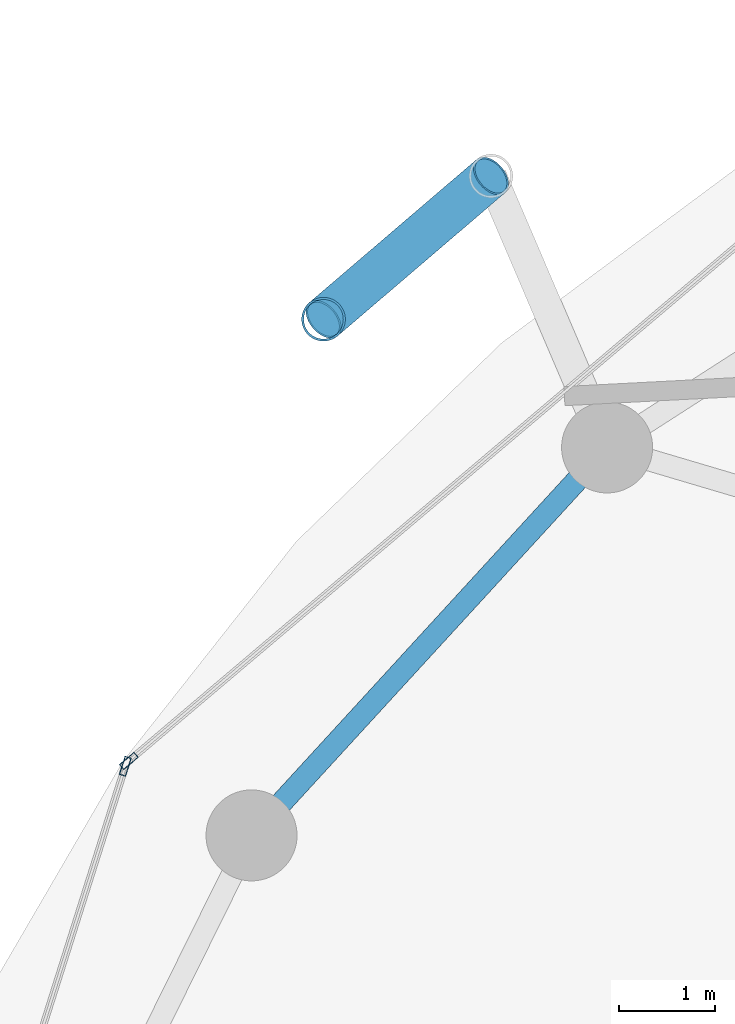
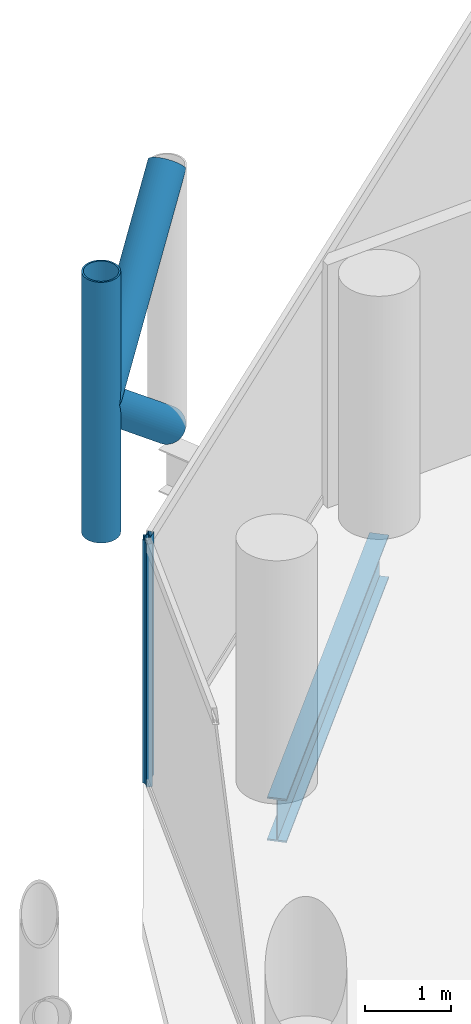
# One storey, part 13 of 26: 5 members, 1 beam, 2 elements without a shape of their own.
"""IFC4 building model written with IfcOpenShell, lengths in metres."""

import ifcopenshell
import ifcopenshell.guid

model = None  # the IFC model being written
_history = None  # IfcOwnerHistory: only IFC2X3 demands one
_inside = {}  # id of a spatial element -> (the spatial element, [elements in it])
_under = {}  # id of a project, library or spatial element -> (it, [spatial elements below it])
_declared = {}  # id of a project -> (the project, [libraries it declares])
_typed = {}  # id of a type object -> (the type object, [elements of that type])
_made_of = {}  # id of a material, layer set ... -> (it, [elements and type objects made of it])


def new_model(schema):
    """Start an empty IFC model of exactly this schema.

    Asked for "IFC4X3", IfcOpenShell would pick the latest addendum, in which some entities
    have other attributes; the version numbers below select the first issue.
    IFC2X3 requires an IfcOwnerHistory on every rooted entity: one is made here for all.
    """
    global model, _history
    if schema == "IFC4X3":
        model = ifcopenshell.file(schema_version=(4, 3, 0, 0))
    else:
        model = ifcopenshell.file(schema=schema)
    _inside.clear()
    _under.clear()
    _declared.clear()
    _typed.clear()
    _made_of.clear()
    _history = None
    if model.schema == "IFC2X3":
        org = make("IfcOrganization", Name="unknown")
        user = make(
            "IfcPersonAndOrganization",
            ThePerson=make("IfcPerson", FamilyName="unknown"),
            TheOrganization=org,
        )
        app = make(
            "IfcApplication",
            ApplicationDeveloper=org,
            Version="unknown",
            ApplicationFullName="unknown",
            ApplicationIdentifier="unknown",
        )
        _history = make(
            "IfcOwnerHistory",
            OwningUser=user,
            OwningApplication=app,
            ChangeAction="ADDED",
            CreationDate=0,
        )
    return model


def make(cls, **values):
    """One entity of the class cls with the attributes given. An attribute that is None is left unset."""
    return model.create_entity(
        cls, **{name: value for name, value in values.items() if value is not None}
    )


def rooted(cls, **values):
    """An entity with a GlobalId (a new one), such as an element, a storey or a relation."""
    return make(cls, GlobalId=ifcopenshell.guid.new(), OwnerHistory=_history, **values)


def si_unit(unit_type, name, prefix=None):
    """IfcSIUnit, for example si_unit("LENGTHUNIT", "METRE", prefix="MILLI")."""
    return make("IfcSIUnit", UnitType=unit_type, Prefix=prefix, Name=name)


def assignment(units):
    """IfcUnitAssignment: the units of a project."""
    return None if units is None else make("IfcUnitAssignment", Units=units)


def point(xyz):
    """IfcCartesianPoint."""
    return None if xyz is None else make("IfcCartesianPoint", Coordinates=xyz)


def direction(xyz):
    """IfcDirection."""
    return None if xyz is None else make("IfcDirection", DirectionRatios=xyz)


def frame(location, z_axis=None, x_axis=None):
    """IfcAxis2Placement3D, a coordinate frame: its origin and axes. An axis left out is left unset."""
    return make(
        "IfcAxis2Placement3D",
        Location=point(location),
        Axis=direction(z_axis),
        RefDirection=direction(x_axis),
    )


def frame_2d(location, x_axis=None):
    """IfcAxis2Placement2D, a coordinate frame in the plane: its origin and x axis."""
    return make(
        "IfcAxis2Placement2D", Location=point(location), RefDirection=direction(x_axis)
    )


def origin():
    """The frame at (0, 0, 0) with its axes left unset."""
    return frame((0.0, 0.0, 0.0))


def origin_2d():
    """The frame at (0, 0) in the plane with its x axis left unset."""
    return frame_2d((0.0, 0.0))


def place(relative_to, where):
    """IfcLocalPlacement: puts the frame where relative to a parent placement (None: the world)."""
    return make(
        "IfcLocalPlacement", PlacementRelTo=relative_to, RelativePlacement=where
    )


def context(
    kind, dimensions, precision=None, world=None, true_north=None, identifier=None
):
    """IfcGeometricRepresentationContext, for example the 3D "Model" context."""
    return make(
        "IfcGeometricRepresentationContext",
        ContextIdentifier=identifier,
        ContextType=kind,
        CoordinateSpaceDimension=dimensions,
        Precision=precision,
        WorldCoordinateSystem=world,
        TrueNorth=true_north,
    )


def subcontext(parent, identifier, kind, view, scale=None):
    """IfcGeometricRepresentationSubContext, for example "Body" below "Model"."""
    return make(
        "IfcGeometricRepresentationSubContext",
        ContextIdentifier=identifier,
        ContextType=kind,
        ParentContext=parent,
        TargetScale=scale,
        TargetView=view,
    )


def project(units=None, contexts=None):
    """IfcProject with its units and contexts."""
    return rooted(
        "IfcProject",
        Name="project",
        RepresentationContexts=contexts,
        UnitsInContext=assignment(units),
    )


def spatial(cls, under=None, at=None, **own):
    """A site, building, storey or space (cls), placed at a placement, below another one or the project."""
    s = rooted(cls, ObjectPlacement=at, **own)
    if under is not None:
        _under.setdefault(under.id(), (under, []))[1].append(s)
    return s


def profile(cls, at=None, kind="AREA", **sizes):
    """A parametric profile (cls). Its sizes go by their IFC names, for example OverallWidth=200.0."""
    return make(cls, ProfileType=kind, Position=at, **sizes)


def hollow_rectangle(**sizes):
    """IfcRectangleHollowProfileDef."""
    return profile("IfcRectangleHollowProfileDef", **sizes)


def hollow_circle(**sizes):
    """IfcCircleHollowProfileDef."""
    return profile("IfcCircleHollowProfileDef", **sizes)


def i_section(**sizes):
    """IfcIShapeProfileDef."""
    return profile("IfcIShapeProfileDef", **sizes)


def extrude(swept, where, along, depth):
    """IfcExtrudedAreaSolid: the profile swept, set in the frame where, extruded along a direction by depth."""
    return make(
        "IfcExtrudedAreaSolid",
        SweptArea=swept,
        Position=where,
        ExtrudedDirection=direction(along),
        Depth=depth,
    )


def shape(context_of_items, identifier, shape_type, items):
    """IfcShapeRepresentation: the items that make up one representation, for example the "Body"."""
    return make(
        "IfcShapeRepresentation",
        ContextOfItems=context_of_items,
        RepresentationIdentifier=identifier,
        RepresentationType=shape_type,
        Items=items,
    )


def material(Name=None, Category=None):
    """IfcMaterial."""
    return make("IfcMaterial", Name=Name, Category=Category)


def layer(
    of_material, thickness, ventilated=None, Name=None, Category=None, Priority=None
):
    """IfcMaterialLayer: one layer of a wall or slab, of a material (None: an air gap)."""
    return make(
        "IfcMaterialLayer",
        Material=of_material,
        LayerThickness=thickness,
        IsVentilated=ventilated,
        Name=Name,
        Category=Category,
        Priority=Priority,
    )


def layer_set(layers, Name=None):
    """IfcMaterialLayerSet."""
    return make("IfcMaterialLayerSet", MaterialLayers=layers, LayerSetName=Name)


def material_profile(
    of_material, cross_section, Name=None, Category=None, Priority=None
):
    """IfcMaterialProfile: a cross section and its material."""
    return make(
        "IfcMaterialProfile",
        Name=Name,
        Material=of_material,
        Profile=cross_section,
        Priority=Priority,
        Category=Category,
    )


def profile_set(profiles, Name=None, composite=None):
    """IfcMaterialProfileSet."""
    return make(
        "IfcMaterialProfileSet",
        Name=Name,
        MaterialProfiles=profiles,
        CompositeProfile=composite,
    )


def made_of(thing, what):
    """Note that an element or type object is made of a material, layer set ...; save() writes the relation."""
    if what is not None:
        _made_of.setdefault(what.id(), (what, []))[1].append(thing)
    return thing


def type_object(cls, material=None, **own):
    """A type object (cls), such as IfcWallType, which elements share."""
    return made_of(rooted(cls, **own), material)


def element(
    cls,
    number,
    at=None,
    inside=None,
    cuts=None,
    type_object=None,
    material=None,
    context=None,
    identifier="Body",
    shape_type=None,
    held_by="IfcProductDefinitionShape",
    body=None,
    shapes=None,
    **own,
):
    """One element of the class cls, such as IfcWall. Its Tag is "e" and its number.

    at: its placement. inside: the storey or other place that contains it. cuts: it is an
    opening in that element (IfcRelVoidsElement). A single representation is given by context,
    identifier, shape_type and body (its items); several are given by shapes. held_by: the class
    of the entity that holds the representations. save() writes the other relations.
    """
    e = rooted(cls, Tag="e%d" % number, ObjectPlacement=at, **own)
    if body is not None:
        shapes = [shape(context, identifier, shape_type, body)]
    if shapes is not None:
        e.Representation = make(held_by, Representations=shapes)
    if inside is not None:
        _inside.setdefault(inside.id(), (inside, []))[1].append(e)
    if cuts is not None:
        rooted(
            "IfcRelVoidsElement", RelatingBuildingElement=cuts, RelatedOpeningElement=e
        )
    if type_object is not None:
        _typed.setdefault(type_object.id(), (type_object, []))[1].append(e)
    return made_of(e, material)


def aggregate(whole, parts):
    """IfcRelAggregates: a whole, such as a stair, and the parts it consists of."""
    return rooted("IfcRelAggregates", RelatingObject=whole, RelatedObjects=parts)


def save(model, path):
    """Write the relations noted so far, then the file.

    IfcRelAggregates (storeys below a building ...), IfcRelContainedInSpatialStructure (elements
    in a storey), IfcRelDefinesByType, IfcRelAssociatesMaterial and IfcRelDeclares: one each for
    every whole, place, type object, material and project.
    """
    for whole, parts in _under.values():
        aggregate(whole, parts)
    for where, things in _inside.values():
        rooted(
            "IfcRelContainedInSpatialStructure",
            RelatedElements=things,
            RelatingStructure=where,
        )
    for kind, things in _typed.values():
        rooted("IfcRelDefinesByType", RelatedObjects=things, RelatingType=kind)
    for what, things in _made_of.values():
        rooted("IfcRelAssociatesMaterial", RelatedObjects=things, RelatingMaterial=what)
    for by, libraries in _declared.values():
        rooted("IfcRelDeclares", RelatingContext=by, RelatedDefinitions=libraries)
    model.write(path)


model = new_model("IFC4")

# Units and contexts
model_context = context("Model", 3, precision=1e-05, world=origin(), true_north=direction((0.0, 1.0)))
body_context = subcontext(model_context, "Body", "Model", "MODEL_VIEW")
ifc_project = project(units=[si_unit("LENGTHUNIT", "METRE"), si_unit("AREAUNIT", "SQUARE_METRE"), si_unit("VOLUMEUNIT", "CUBIC_METRE"), si_unit("PLANEANGLEUNIT", "RADIAN"), si_unit("MASSUNIT", "GRAM", prefix="KILO")], contexts=[model_context])

# Site, building, storey
site_placement = place(None, origin())
site = spatial("IfcSite", under=ifc_project, at=site_placement, CompositionType="ELEMENT")
building_placement = place(site_placement, origin())
building = spatial("IfcBuilding", under=site, at=building_placement, Name="Nuhasar Tower", CompositionType="ELEMENT")
storey_placement = place(building_placement, frame((0.0, 0.0, 184.85009765625)))
storey = spatial("IfcBuildingStorey", under=building, at=storey_placement, Name="L45", CompositionType="ELEMENT", Elevation=184.85009765625)

# Beam
ifc_material_1 = material(Name="Steel S355", Category="steel")
ifc_material_profile_1 = material_profile(ifc_material_1, i_section(OverallWidth=0.22998046875, OverallDepth=0.616943359375, WebThickness=0.01318359375, FlangeThickness=0.022216796875, at=origin_2d()), Name="W24X94")
ifc_profile_set_1 = profile_set([ifc_material_profile_1], Name="Steel S355")
beam_type = type_object("IfcBeamType", Name="BM-RING-W24X94", PredefinedType="SPANDREL", material=ifc_profile_set_1)
beam_placement = place(storey_placement, frame((22.489013671875, 40.6240234375, -0.55908203125), z_axis=(-0.675654174897, -0.737218716491, 0.0), x_axis=(0.737218716491, -0.675654174897, 0.0)))
element("IfcBeam", 1, at=beam_placement, inside=storey, type_object=beam_type, Name="L45 Perimeter Ring Spandrel 10", PredefinedType="SPANDREL", context=body_context, shape_type="SweptSolid", body=[
    extrude(i_section(OverallWidth=0.22998046875, OverallDepth=0.616943359375, WebThickness=0.01318359375, FlangeThickness=0.022216796875, at=origin_2d()), origin(), (0.0, 0.0, 1.0), 5.492431640625),
])

# Curtain wall, member
ifc_material_2 = material(Name="Aluminium 6063-T6", Category="aluminium")
ifc_layer = layer(ifc_material_2, 0.199951171875)
ifc_layer_set = layer_set([ifc_layer], Name="Aluminium 6063-T6")
curtain_wall_type = type_object("IfcCurtainWallType", Name="CW-Z2-HTL", PredefinedType="NOTDEFINED", material=ifc_layer_set)
curtain_wall_1_placement = place(storey_placement, origin())
curtain_wall_1 = element("IfcCurtainWall", 2, at=curtain_wall_1_placement, inside=storey, type_object=curtain_wall_type, Name="L45 Unitised Curtain Wall 05", PredefinedType="NOTDEFINED")
ifc_material_profile_2 = material_profile(ifc_material_2, hollow_rectangle(XDim=0.070068359375, YDim=0.199951171875, WallThickness=0.0048828125, at=origin_2d()), Name="CWM-3")
ifc_profile_set_2 = profile_set([ifc_material_profile_2], Name="Aluminium 6063-T6")
member_type_1 = type_object("IfcMemberType", Name="CW-MUL-S3", PredefinedType="MULLION", material=ifc_profile_set_2)
member_1_placement = place(storey_placement, frame((17.497802734375, 37.3525390625, 0.0), z_axis=(0.0, 0.0, 1.0), x_axis=(0.646374438324, -0.763020370292, 0.0)))
member_1 = element("IfcMember", 3, at=member_1_placement, type_object=member_type_1, Name="CW-Z2 mullion 2", PredefinedType="MULLION", context=body_context, shape_type="SweptSolid", body=[
    extrude(hollow_rectangle(XDim=0.070068359375, YDim=0.199951171875, WallThickness=0.0048828125, at=origin_2d()), origin(), (0.0, 0.0, 1.0), 3.449951171875),
])
aggregate(curtain_wall_1, [member_1])

curtain_wall_2_placement = place(storey_placement, origin())
curtain_wall_2 = element("IfcCurtainWall", 4, at=curtain_wall_2_placement, inside=storey, type_object=curtain_wall_type, Name="L45 Unitised Curtain Wall 06", PredefinedType="NOTDEFINED")
member_2_placement = place(storey_placement, frame((17.46044921875, 37.296630859375, 0.0), z_axis=(0.0, 0.0, 1.0), x_axis=(0.953433389233, -0.301603667577, 0.0)))
member_2 = element("IfcMember", 5, at=member_2_placement, type_object=member_type_1, Name="CW-Z2 mullion 1", PredefinedType="MULLION", context=body_context, shape_type="SweptSolid", body=[
    extrude(hollow_rectangle(XDim=0.070068359375, YDim=0.199951171875, WallThickness=0.0048828125, at=origin_2d()), origin(), (0.0, 0.0, 1.0), 3.449951171875),
])
aggregate(curtain_wall_2, [member_2])

# Members
ifc_material_3 = material(Name="Steel S460", Category="steel")
ifc_material_profile_3 = material_profile(ifc_material_3, hollow_circle(Radius=0.228515625, WallThickness=0.022216796875, at=origin_2d()), Name="HSS457X22.2")
ifc_profile_set_3 = profile_set([ifc_material_profile_3], Name="Steel S460")
member_type_2 = type_object("IfcMemberType", Name="EXO-BRONZE-457", PredefinedType="BRACE", material=ifc_profile_set_3)
member_3_placement = place(storey_placement, frame((19.529052734375, 41.9619140625, 0.0), z_axis=(0.0, 0.0, 1.0), x_axis=(1.0, 0.0, 0.0)))
element("IfcMember", 6, at=member_3_placement, inside=storey, type_object=member_type_2, Name="L45 Exoskeleton Chord Column EC-05B", PredefinedType="BRACE", context=body_context, shape_type="SweptSolid", body=[
    extrude(hollow_circle(Radius=0.228515625, WallThickness=0.022216796875, at=origin_2d()), origin(), (0.0, 0.0, 1.0), 3.699951171875),
])
member_4_placement = place(storey_placement, frame((21.277099609375, 43.45703125, 0.0), z_axis=(-0.592201065785, -0.506513872468, 0.626690988192), x_axis=(0.649986859795, -0.759945446788, 0.0)))
element("IfcMember", 7, at=member_4_placement, inside=storey, type_object=member_type_2, Name="L45 Bronze Diagrid Brace W1-05", PredefinedType="BRACE", context=body_context, shape_type="SweptSolid", body=[
    extrude(hollow_circle(Radius=0.228515625, WallThickness=0.022216796875, at=origin_2d()), origin(), (0.0, 0.0, 1.0), 2.95166015625),
])
member_5_placement = place(storey_placement, frame((19.529052734375, 41.9619140625, 1.849853515625), z_axis=(0.592170370358, 0.506487618445, 0.626741210415), x_axis=(-0.649986859795, 0.759945446788, 0.0)))
element("IfcMember", 8, at=member_5_placement, inside=storey, type_object=member_type_2, Name="L45 Bronze Diagrid Brace W2-05", PredefinedType="BRACE", context=body_context, shape_type="SweptSolid", body=[
    extrude(hollow_circle(Radius=0.228515625, WallThickness=0.022216796875, at=origin_2d()), origin(), (0.0, 0.0, 1.0), 2.951904296875),
])

save(model, "model.ifc")
